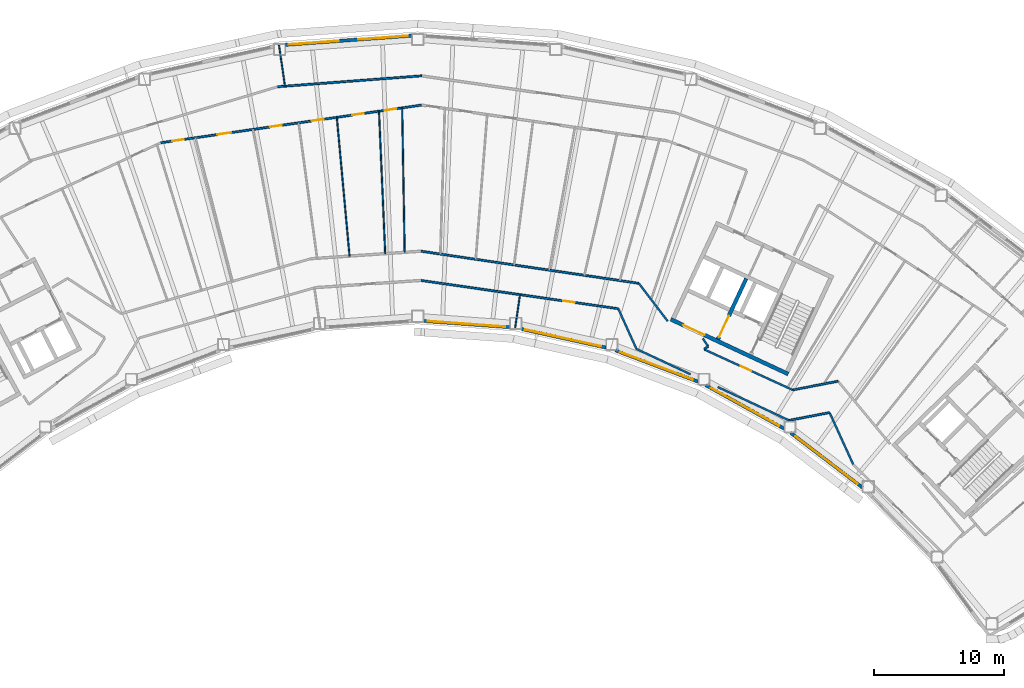
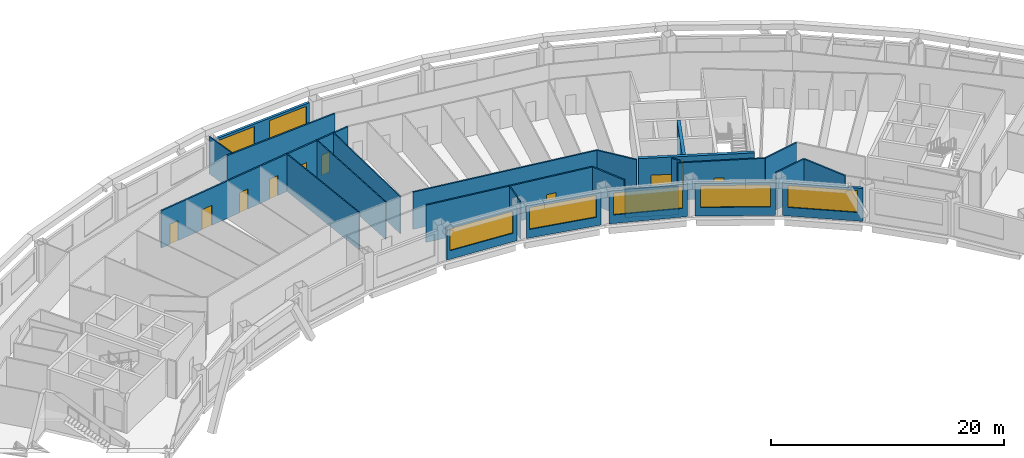
# One storey, part 8 of 17: 27 walls, 10 doors, 7 windows, 17 openings.
"""IFC4 building model written with IfcOpenShell, lengths in metres."""

import ifcopenshell
import ifcopenshell.guid

model = None  # the IFC model being written
_history = None  # IfcOwnerHistory: only IFC2X3 demands one
_inside = {}  # id of a spatial element -> (the spatial element, [elements in it])
_under = {}  # id of a project, library or spatial element -> (it, [spatial elements below it])
_declared = {}  # id of a project -> (the project, [libraries it declares])
_typed = {}  # id of a type object -> (the type object, [elements of that type])
_made_of = {}  # id of a material, layer set ... -> (it, [elements and type objects made of it])


def new_model(schema):
    """Start an empty IFC model of exactly this schema.

    Asked for "IFC4X3", IfcOpenShell would pick the latest addendum, in which some entities
    have other attributes; the version numbers below select the first issue.
    IFC2X3 requires an IfcOwnerHistory on every rooted entity: one is made here for all.
    """
    global model, _history
    if schema == "IFC4X3":
        model = ifcopenshell.file(schema_version=(4, 3, 0, 0))
    else:
        model = ifcopenshell.file(schema=schema)
    _inside.clear()
    _under.clear()
    _declared.clear()
    _typed.clear()
    _made_of.clear()
    _history = None
    if model.schema == "IFC2X3":
        org = make("IfcOrganization", Name="unknown")
        user = make(
            "IfcPersonAndOrganization",
            ThePerson=make("IfcPerson", FamilyName="unknown"),
            TheOrganization=org,
        )
        app = make(
            "IfcApplication",
            ApplicationDeveloper=org,
            Version="unknown",
            ApplicationFullName="unknown",
            ApplicationIdentifier="unknown",
        )
        _history = make(
            "IfcOwnerHistory",
            OwningUser=user,
            OwningApplication=app,
            ChangeAction="ADDED",
            CreationDate=0,
        )
    return model


def make(cls, **values):
    """One entity of the class cls with the attributes given. An attribute that is None is left unset."""
    return model.create_entity(
        cls, **{name: value for name, value in values.items() if value is not None}
    )


def rooted(cls, **values):
    """An entity with a GlobalId (a new one), such as an element, a storey or a relation."""
    return make(cls, GlobalId=ifcopenshell.guid.new(), OwnerHistory=_history, **values)


def si_unit(unit_type, name, prefix=None):
    """IfcSIUnit, for example si_unit("LENGTHUNIT", "METRE", prefix="MILLI")."""
    return make("IfcSIUnit", UnitType=unit_type, Prefix=prefix, Name=name)


def assignment(units):
    """IfcUnitAssignment: the units of a project."""
    return None if units is None else make("IfcUnitAssignment", Units=units)


def point(xyz):
    """IfcCartesianPoint."""
    return None if xyz is None else make("IfcCartesianPoint", Coordinates=xyz)


def direction(xyz):
    """IfcDirection."""
    return None if xyz is None else make("IfcDirection", DirectionRatios=xyz)


def frame(location, z_axis=None, x_axis=None):
    """IfcAxis2Placement3D, a coordinate frame: its origin and axes. An axis left out is left unset."""
    return make(
        "IfcAxis2Placement3D",
        Location=point(location),
        Axis=direction(z_axis),
        RefDirection=direction(x_axis),
    )


def frame_2d(location, x_axis=None):
    """IfcAxis2Placement2D, a coordinate frame in the plane: its origin and x axis."""
    return make(
        "IfcAxis2Placement2D", Location=point(location), RefDirection=direction(x_axis)
    )


def origin():
    """The frame at (0, 0, 0) with its axes left unset."""
    return frame((0.0, 0.0, 0.0))


def place(relative_to, where):
    """IfcLocalPlacement: puts the frame where relative to a parent placement (None: the world)."""
    return make(
        "IfcLocalPlacement", PlacementRelTo=relative_to, RelativePlacement=where
    )


def context(
    kind, dimensions, precision=None, world=None, true_north=None, identifier=None
):
    """IfcGeometricRepresentationContext, for example the 3D "Model" context."""
    return make(
        "IfcGeometricRepresentationContext",
        ContextIdentifier=identifier,
        ContextType=kind,
        CoordinateSpaceDimension=dimensions,
        Precision=precision,
        WorldCoordinateSystem=world,
        TrueNorth=true_north,
    )


def subcontext(parent, identifier, kind, view, scale=None):
    """IfcGeometricRepresentationSubContext, for example "Body" below "Model"."""
    return make(
        "IfcGeometricRepresentationSubContext",
        ContextIdentifier=identifier,
        ContextType=kind,
        ParentContext=parent,
        TargetScale=scale,
        TargetView=view,
    )


def project(units=None, contexts=None):
    """IfcProject with its units and contexts."""
    return rooted(
        "IfcProject",
        Name="project",
        RepresentationContexts=contexts,
        UnitsInContext=assignment(units),
    )


def spatial(cls, under=None, at=None, **own):
    """A site, building, storey or space (cls), placed at a placement, below another one or the project."""
    s = rooted(cls, ObjectPlacement=at, **own)
    if under is not None:
        _under.setdefault(under.id(), (under, []))[1].append(s)
    return s


def profile(cls, at=None, kind="AREA", **sizes):
    """A parametric profile (cls). Its sizes go by their IFC names, for example OverallWidth=200.0."""
    return make(cls, ProfileType=kind, Position=at, **sizes)


def rectangle(**sizes):
    """IfcRectangleProfileDef."""
    return profile("IfcRectangleProfileDef", **sizes)


def extrude(swept, where, along, depth):
    """IfcExtrudedAreaSolid: the profile swept, set in the frame where, extruded along a direction by depth."""
    return make(
        "IfcExtrudedAreaSolid",
        SweptArea=swept,
        Position=where,
        ExtrudedDirection=direction(along),
        Depth=depth,
    )


def shape(context_of_items, identifier, shape_type, items):
    """IfcShapeRepresentation: the items that make up one representation, for example the "Body"."""
    return make(
        "IfcShapeRepresentation",
        ContextOfItems=context_of_items,
        RepresentationIdentifier=identifier,
        RepresentationType=shape_type,
        Items=items,
    )


def material(Name=None, Category=None):
    """IfcMaterial."""
    return make("IfcMaterial", Name=Name, Category=Category)


def layer(
    of_material, thickness, ventilated=None, Name=None, Category=None, Priority=None
):
    """IfcMaterialLayer: one layer of a wall or slab, of a material (None: an air gap)."""
    return make(
        "IfcMaterialLayer",
        Material=of_material,
        LayerThickness=thickness,
        IsVentilated=ventilated,
        Name=Name,
        Category=Category,
        Priority=Priority,
    )


def layer_set(layers, Name=None):
    """IfcMaterialLayerSet."""
    return make("IfcMaterialLayerSet", MaterialLayers=layers, LayerSetName=Name)


def made_of(thing, what):
    """Note that an element or type object is made of a material, layer set ...; save() writes the relation."""
    if what is not None:
        _made_of.setdefault(what.id(), (what, []))[1].append(thing)
    return thing


def type_object(cls, material=None, **own):
    """A type object (cls), such as IfcWallType, which elements share."""
    return made_of(rooted(cls, **own), material)


def element(
    cls,
    number,
    at=None,
    inside=None,
    cuts=None,
    type_object=None,
    material=None,
    context=None,
    identifier="Body",
    shape_type=None,
    held_by="IfcProductDefinitionShape",
    body=None,
    shapes=None,
    **own,
):
    """One element of the class cls, such as IfcWall. Its Tag is "e" and its number.

    at: its placement. inside: the storey or other place that contains it. cuts: it is an
    opening in that element (IfcRelVoidsElement). A single representation is given by context,
    identifier, shape_type and body (its items); several are given by shapes. held_by: the class
    of the entity that holds the representations. save() writes the other relations.
    """
    e = rooted(cls, Tag="e%d" % number, ObjectPlacement=at, **own)
    if body is not None:
        shapes = [shape(context, identifier, shape_type, body)]
    if shapes is not None:
        e.Representation = make(held_by, Representations=shapes)
    if inside is not None:
        _inside.setdefault(inside.id(), (inside, []))[1].append(e)
    if cuts is not None:
        rooted(
            "IfcRelVoidsElement", RelatingBuildingElement=cuts, RelatedOpeningElement=e
        )
    if type_object is not None:
        _typed.setdefault(type_object.id(), (type_object, []))[1].append(e)
    return made_of(e, material)


def fill(opening, filler):
    """IfcRelFillsElement: the door or window that sits in an opening."""
    return rooted(
        "IfcRelFillsElement",
        RelatingOpeningElement=opening,
        RelatedBuildingElement=filler,
    )


def aggregate(whole, parts):
    """IfcRelAggregates: a whole, such as a stair, and the parts it consists of."""
    return rooted("IfcRelAggregates", RelatingObject=whole, RelatedObjects=parts)


def save(model, path):
    """Write the relations noted so far, then the file.

    IfcRelAggregates (storeys below a building ...), IfcRelContainedInSpatialStructure (elements
    in a storey), IfcRelDefinesByType, IfcRelAssociatesMaterial and IfcRelDeclares: one each for
    every whole, place, type object, material and project.
    """
    for whole, parts in _under.values():
        aggregate(whole, parts)
    for where, things in _inside.values():
        rooted(
            "IfcRelContainedInSpatialStructure",
            RelatedElements=things,
            RelatingStructure=where,
        )
    for kind, things in _typed.values():
        rooted("IfcRelDefinesByType", RelatedObjects=things, RelatingType=kind)
    for what, things in _made_of.values():
        rooted("IfcRelAssociatesMaterial", RelatedObjects=things, RelatingMaterial=what)
    for by, libraries in _declared.values():
        rooted("IfcRelDeclares", RelatingContext=by, RelatedDefinitions=libraries)
    model.write(path)


model = new_model("IFC4")

# Units and contexts
model_context = context("Model", 3, precision=1e-05, world=origin(), true_north=direction((0.0, 1.0)))
body_context = subcontext(model_context, "Body", "Model", "MODEL_VIEW")
ifc_project = project(units=[si_unit("LENGTHUNIT", "METRE"), si_unit("AREAUNIT", "SQUARE_METRE"), si_unit("VOLUMEUNIT", "CUBIC_METRE"), si_unit("PLANEANGLEUNIT", "RADIAN"), si_unit("MASSUNIT", "GRAM", prefix="KILO")], contexts=[model_context])

# Site, building, storey
site_placement = place(None, origin())
site = spatial("IfcSite", under=ifc_project, at=site_placement, CompositionType="ELEMENT")
building_placement = place(site_placement, origin())
building = spatial("IfcBuilding", under=site, at=building_placement, Name="Tuul Gate Civic Tower", CompositionType="ELEMENT")
storey_placement = place(building_placement, frame((0.0, 0.0, 222.10009765625)))
storey = spatial("IfcBuildingStorey", under=building, at=storey_placement, Name="Level 50", CompositionType="ELEMENT", Elevation=222.10009765625)

# Wall, opening, door
ifc_material_1 = material(Name="Concrete C50/60", Category="concrete")
ifc_layer_1 = layer(ifc_material_1, 0.300048828125)
ifc_layer_set_1 = layer_set([ifc_layer_1], Name="Concrete C50/60")
wall_type_1 = type_object("IfcWallType", Name="Core wall C50/60", PredefinedType="SHEAR", material=ifc_layer_set_1)
wall_1_placement = place(storey_placement, frame((34.5283203125, -7.25, 0.0), z_axis=(0.0, 0.0, 1.0), x_axis=(-0.906310338845, 0.422612789327, 0.0)))
wall_1 = element("IfcWall", 1, at=wall_1_placement, inside=storey, type_object=wall_type_1, Name="Core wall", PredefinedType="SHEAR", context=body_context, shape_type="SweptSolid", body=[
    extrude(rectangle(XDim=9.999755859375, YDim=0.300048828125, at=frame_2d((5.0, 0.0))), origin(), (0.0, 0.0, 1.0), 3.89990234375),
])
opening_1_placement = place(wall_1_placement, frame((7.125, 0.0, 0.0)))
opening_1 = element("IfcOpeningElement", 2, at=opening_1_placement, cuts=wall_1, Name="Opening LB-E3-LOBBY-1", PredefinedType="OPENING", context=body_context, shape_type="SweptSolid", body=[
    extrude(rectangle(XDim=1.800048828125, YDim=2.10009765625, at=frame_2d((0.89990234375, 1.050048828125))), frame((0.0, 0.16015625, 0.0), z_axis=(0.0, -1.0, 0.0), x_axis=(1.0, 0.0, 0.0)), (0.0, 0.0, 1.0), 0.320068359375),
])
ifc_material_2 = material(Name="Steel", Category="steel")
door_type_1 = type_object("IfcDoorType", Name="Lobby door", OperationType="DOUBLE_DOOR_SINGLE_SWING", PredefinedType="DOOR", material=ifc_material_2)
door_1_placement = place(opening_1_placement, frame((1.800048828125, 0.0, 0.0), z_axis=(0.0, 0.0, 1.0), x_axis=(-1.0, 0.0, 0.0)))
door_1 = element("IfcDoor", 3, at=door_1_placement, inside=storey, type_object=door_type_1, Name="Lobby door E3-LOBBY", OperationType="DOUBLE_DOOR_SINGLE_SWING", OverallHeight=2.10009765625, OverallWidth=1.800048828125, PredefinedType="DOOR", context=body_context, shape_type="SweptSolid", body=[
    extrude(rectangle(XDim=1.800048828125, YDim=2.10009765625, at=frame_2d((0.900146484375, 1.050048828125))), frame((0.0, 0.02490234375, 0.0), z_axis=(0.0, -1.0, 0.0), x_axis=(1.0, 0.0, 0.0)), (0.0, 0.0, 1.0), 0.050048828125),
])
fill(opening_1, door_1)

wall_2_placement = place(storey_placement, frame((29.108642578125, -4.557373046875, 0.0), z_axis=(0.0, 0.0, 1.0), x_axis=(0.422566235356, 0.90633204552, 0.0)))
wall_2 = element("IfcWall", 4, at=wall_2_placement, inside=storey, type_object=wall_type_1, Name="Core wall", PredefinedType="SHEAR", context=body_context, shape_type="SweptSolid", body=[
    extrude(rectangle(XDim=5.150146484375, YDim=0.300048828125, at=frame_2d((2.5751953125, 0.0))), origin(), (0.0, 0.0, 1.0), 3.89990234375),
])
opening_2_placement = place(wall_2_placement, frame((0.175048828125, 0.0, 0.0)))
opening_2 = element("IfcOpeningElement", 5, at=opening_2_placement, cuts=wall_2, Name="Opening LB-E3-FLOBBY-1", PredefinedType="OPENING", context=body_context, shape_type="SweptSolid", body=[
    extrude(rectangle(XDim=1.800048828125, YDim=2.10009765625, at=frame_2d((0.89990234375, 1.050048828125))), frame((0.0, 0.16015625, 0.0), z_axis=(0.0, -1.0, 0.0), x_axis=(1.0, 0.0, 0.0)), (0.0, 0.0, 1.0), 0.320068359375),
])
door_2_placement = place(opening_2_placement, frame((1.800048828125, 0.0, 0.0), z_axis=(0.0, 0.0, 1.0), x_axis=(-1.0, 0.0, 0.0)))
door_2 = element("IfcDoor", 6, at=door_2_placement, inside=storey, type_object=door_type_1, Name="Lobby door E3-FLOBBY", OperationType="DOUBLE_DOOR_SINGLE_SWING", OverallHeight=2.10009765625, OverallWidth=1.800048828125, PredefinedType="DOOR", context=body_context, shape_type="SweptSolid", body=[
    extrude(rectangle(XDim=1.800048828125, YDim=2.10009765625, at=frame_2d((0.900146484375, 1.050048828125))), frame((0.0, 0.02490234375, 0.0), z_axis=(0.0, -1.0, 0.0), x_axis=(1.0, 0.0, 0.0)), (0.0, 0.0, 1.0), 0.050048828125),
])
fill(opening_2, door_2)

# Walls
ifc_material_3 = material(Name="Gypsum board partition")
ifc_layer_2 = layer(ifc_material_3, 0.14990234375)
ifc_layer_set_2 = layer_set([ifc_layer_2], Name="Gypsum board partition")
wall_type_2 = type_object("IfcWallType", Name="Corridor wall P150", PredefinedType="PARTITIONING", material=ifc_layer_set_2)
wall_3_placement = place(storey_placement, frame((-4.85888671875, 14.919677734375, 0.0), z_axis=(0.0, 0.0, 1.0), x_axis=(0.997140910872, 0.075564567521, 0.0)))
element("IfcWall", 7, at=wall_3_placement, inside=storey, type_object=wall_type_2, Name="p011", PredefinedType="PARTITIONING", context=body_context, shape_type="SweptSolid", body=[
    extrude(rectangle(XDim=11.133544921875, YDim=0.14990234375, at=frame_2d((5.56689453125, 0.0))), origin(), (0.0, 0.0, 1.0), 3.89990234375),
])
wall_4_placement = place(storey_placement, frame((34.597900390625, -10.8232421875, 0.0), z_axis=(0.0, 0.0, 1.0), x_axis=(0.981761729648, 0.190115507518, 0.0)))
element("IfcWall", 8, at=wall_4_placement, inside=storey, type_object=wall_type_2, Name="p029", PredefinedType="PARTITIONING", context=body_context, shape_type="SweptSolid", body=[
    extrude(rectangle(XDim=3.162841796875, YDim=0.14990234375, at=frame_2d((1.58154296875, 0.0))), origin(), (0.0, 0.0, 1.0), 3.89990234375),
])
wall_5_placement = place(storey_placement, frame((37.725830078125, -10.233642578125, 0.0), z_axis=(0.0, 0.0, 1.0), x_axis=(0.414462049887, -0.910066596027, 0.0)))
element("IfcWall", 9, at=wall_5_placement, inside=storey, type_object=wall_type_2, Name="p030", PredefinedType="PARTITIONING", context=body_context, shape_type="SweptSolid", body=[
    extrude(rectangle(XDim=4.380859375, YDim=0.14990234375, at=frame_2d((2.1904296875, 0.0))), origin(), (0.0, 0.0, 1.0), 3.89990234375),
])

# Wall, opening, door
wall_6_placement = place(storey_placement, frame((6.18603515625, -0.026123046875, 0.0), z_axis=(0.0, 0.0, 1.0), x_axis=(0.989879513226, -0.141910356546, 0.0)))
wall_6 = element("IfcWall", 10, at=wall_6_placement, inside=storey, type_object=wall_type_2, Name="p034", PredefinedType="PARTITIONING", context=body_context, shape_type="SweptSolid", body=[
    extrude(rectangle(XDim=15.376708984375, YDim=0.14990234375, at=frame_2d((7.6884765625, 0.0))), origin(), (0.0, 0.0, 1.0), 3.89990234375),
])
opening_3_placement = place(wall_6_placement, frame((11.101806640625, 0.0, 0.0)))
opening_3 = element("IfcOpeningElement", 11, at=opening_3_placement, cuts=wall_6, Name="Opening R-D08", PredefinedType="OPENING", context=body_context, shape_type="SweptSolid", body=[
    extrude(rectangle(XDim=0.89990234375, YDim=2.10009765625, at=frame_2d((0.449951171875, 1.050048828125))), frame((0.0, 0.0849609375, 0.0), z_axis=(0.0, -1.0, 0.0), x_axis=(1.0, 0.0, 0.0)), (0.0, 0.0, 1.0), 0.169921875),
])
ifc_material_4 = material(Name="Timber door leaf", Category="wood")
door_type_2 = type_object("IfcDoorType", Name="Door D09", OperationType="NOTDEFINED", PredefinedType="DOOR", material=ifc_material_4)
door_3_placement = place(opening_3_placement, frame((0.89990234375, 0.0, 0.0), z_axis=(0.0, 0.0, 1.0), x_axis=(-1.0, 0.0, 0.0)))
door_3 = element("IfcDoor", 12, at=door_3_placement, inside=storey, type_object=door_type_2, Name="Door R-D08", OperationType="SINGLE_SWING_LEFT", OverallHeight=2.10009765625, OverallWidth=0.89990234375, PredefinedType="DOOR", context=body_context, shape_type="SweptSolid", body=[
    extrude(rectangle(XDim=0.89990234375, YDim=2.10009765625, at=frame_2d((0.449951171875, 1.050048828125))), frame((0.0, 0.02490234375, 0.0), z_axis=(0.0, -1.0, 0.0), x_axis=(1.0, 0.0, 0.0)), (0.0, 0.0, 1.0), 0.050048828125),
])
fill(opening_3, door_3)

# Walls
wall_7_placement = place(storey_placement, frame((21.42333984375, -2.220458984375, 0.0), z_axis=(0.0, 0.0, 1.0), x_axis=(0.411432485151, -0.911440239491, 0.0)))
element("IfcWall", 13, at=wall_7_placement, inside=storey, type_object=wall_type_2, Name="p035", PredefinedType="PARTITIONING", context=body_context, shape_type="SweptSolid", body=[
    extrude(rectangle(XDim=3.39306640625, YDim=0.14990234375, at=frame_2d((1.696533203125, 0.0))), origin(), (0.0, 0.0, 1.0), 3.89990234375),
])
wall_8_placement = place(storey_placement, frame((34.884521484375, -8.47607421875, 0.0), z_axis=(0.0, 0.0, 1.0), x_axis=(0.981755019351, 0.190150156398, 0.0)))
element("IfcWall", 14, at=wall_8_placement, inside=storey, type_object=wall_type_2, Name="p054", PredefinedType="PARTITIONING", context=body_context, shape_type="SweptSolid", body=[
    extrude(rectangle(XDim=3.55126953125, YDim=0.14990234375, at=frame_2d((1.775634765625, 0.0))), origin(), (0.0, 0.0, 1.0), 3.89990234375),
])

# Wall, opening, door
wall_9_placement = place(storey_placement, frame((28.0576171875, -5.3544921875, 0.0), z_axis=(0.0, 0.0, 1.0), x_axis=(0.909226191129, -0.41630245419, 0.0)))
wall_9 = element("IfcWall", 15, at=wall_9_placement, inside=storey, type_object=wall_type_2, Name="p056", PredefinedType="PARTITIONING", context=body_context, shape_type="SweptSolid", body=[
    extrude(rectangle(XDim=7.494140625, YDim=0.14990234375, at=frame_2d((3.7470703125, 0.0))), origin(), (0.0, 0.0, 1.0), 3.89990234375),
])
opening_4_placement = place(wall_9_placement, frame((3.0830078125, 0.0, 0.0)))
opening_4 = element("IfcOpeningElement", 16, at=opening_4_placement, cuts=wall_9, Name="Opening R-D16", PredefinedType="OPENING", context=body_context, shape_type="SweptSolid", body=[
    extrude(rectangle(XDim=0.89990234375, YDim=2.10009765625, at=frame_2d((0.449951171875, 1.050048828125))), frame((0.0, 0.0849609375, 0.0), z_axis=(0.0, -1.0, 0.0), x_axis=(1.0, 0.0, 0.0)), (0.0, 0.0, 1.0), 0.169921875),
])
door_4_placement = place(opening_4_placement, frame((0.89990234375, 0.0, 0.0), z_axis=(0.0, 0.0, 1.0), x_axis=(-1.0, 0.0, 0.0)))
door_4 = element("IfcDoor", 17, at=door_4_placement, inside=storey, type_object=door_type_2, Name="Door R-D16", OperationType="SINGLE_SWING_LEFT", OverallHeight=2.10009765625, OverallWidth=0.89990234375, PredefinedType="DOOR", context=body_context, shape_type="SweptSolid", body=[
    extrude(rectangle(XDim=0.89990234375, YDim=2.10009765625, at=frame_2d((0.449951171875, 1.050048828125))), frame((0.0, 0.02490234375, 0.0), z_axis=(0.0, -1.0, 0.0), x_axis=(1.0, 0.0, 0.0)), (0.0, 0.0, 1.0), 0.050048828125),
])
fill(opening_4, door_4)

# Walls
wall_10_placement = place(storey_placement, frame((28.054443359375, -5.3193359375, 0.0), z_axis=(0.0, 0.0, 1.0), x_axis=(0.823709335363, 0.567012284554, 0.0)))
element("IfcWall", 18, at=wall_10_placement, inside=storey, type_object=wall_type_2, Name="p057", PredefinedType="PARTITIONING", context=body_context, shape_type="SweptSolid", body=[
    extrude(rectangle(XDim=0.3642578125, YDim=0.14990234375, at=frame_2d((0.18212890625, 0.0))), origin(), (0.0, 0.0, 1.0), 3.89990234375),
])
wall_11_placement = place(storey_placement, frame((27.939697265625, -4.50927734375, 0.0), z_axis=(0.0, 0.0, 1.0), x_axis=(0.567265005599, -0.823535314011, 0.0)))
element("IfcWall", 19, at=wall_11_placement, inside=storey, type_object=wall_type_2, Name="p058", PredefinedType="PARTITIONING", context=body_context, shape_type="SweptSolid", body=[
    extrude(rectangle(XDim=0.731689453125, YDim=0.14990234375, at=frame_2d((0.36572265625, 0.0))), origin(), (0.0, 0.0, 1.0), 3.89990234375),
])
wall_12_placement = place(storey_placement, frame((23.0029296875, -0.25048828125, 0.0), z_axis=(0.0, 0.0, 1.0), x_axis=(0.606509713776, -0.795076076294, 0.0)))
element("IfcWall", 20, at=wall_12_placement, inside=storey, type_object=wall_type_2, Name="p063", PredefinedType="PARTITIONING", context=body_context, shape_type="SweptSolid", body=[
    extrude(rectangle(XDim=3.673095703125, YDim=0.14990234375, at=frame_2d((1.83642578125, 0.0))), origin(), (0.0, 0.0, 1.0), 3.89990234375),
])
wall_13_placement = place(storey_placement, frame((6.18896484375, 2.2294921875, 0.0), z_axis=(0.0, 0.0, 1.0), x_axis=(0.98930158276, -0.145884811921, 0.0)))
element("IfcWall", 21, at=wall_13_placement, inside=storey, type_object=wall_type_2, Name="p066", PredefinedType="PARTITIONING", context=body_context, shape_type="SweptSolid", body=[
    extrude(rectangle(XDim=16.99462890625, YDim=0.14990234375, at=frame_2d((8.497314453125, 0.0))), origin(), (0.0, 0.0, 1.0), 3.89990234375),
])

# Wall, openings, doors
wall_14_placement = place(storey_placement, frame((-13.8857421875, 10.595947265625, 0.0), z_axis=(0.0, 0.0, 1.0), x_axis=(0.989722071507, 0.143004269765, 0.0)))
wall_14 = element("IfcWall", 22, at=wall_14_placement, inside=storey, type_object=wall_type_2, Name="p073", PredefinedType="PARTITIONING", context=body_context, shape_type="SweptSolid", body=[
    extrude(rectangle(XDim=20.338134765625, YDim=0.14990234375, at=frame_2d((10.1689453125, 0.0))), origin(), (0.0, 0.0, 1.0), 3.89990234375),
])
opening_5_placement = place(wall_14_placement, frame((17.46826171875, 0.0, 0.0)))
opening_5 = element("IfcOpeningElement", 23, at=opening_5_placement, cuts=wall_14, Name="Opening R-D25", PredefinedType="OPENING", context=body_context, shape_type="SweptSolid", body=[
    extrude(rectangle(XDim=0.89990234375, YDim=2.10009765625, at=frame_2d((0.449951171875, 1.050048828125))), frame((0.0, 0.0849609375, 0.0), z_axis=(0.0, -1.0, 0.0), x_axis=(1.0, 0.0, 0.0)), (0.0, 0.0, 1.0), 0.169921875),
])
opening_6_placement = place(wall_14_placement, frame((14.921875, 0.0, 0.0)))
opening_6 = element("IfcOpeningElement", 24, at=opening_6_placement, cuts=wall_14, Name="Opening R-D26", PredefinedType="OPENING", context=body_context, shape_type="SweptSolid", body=[
    extrude(rectangle(XDim=0.89990234375, YDim=2.10009765625, at=frame_2d((0.449951171875, 1.050048828125))), frame((0.0, 0.0849609375, 0.0), z_axis=(0.0, -1.0, 0.0), x_axis=(1.0, 0.0, 0.0)), (0.0, 0.0, 1.0), 0.169921875),
])
opening_7_placement = place(wall_14_placement, frame((11.791015625, 0.0, 0.0)))
opening_7 = element("IfcOpeningElement", 25, at=opening_7_placement, cuts=wall_14, Name="Opening R-D27", PredefinedType="OPENING", context=body_context, shape_type="SweptSolid", body=[
    extrude(rectangle(XDim=0.89990234375, YDim=2.10009765625, at=frame_2d((0.449951171875, 1.050048828125))), frame((0.0, 0.0849609375, 0.0), z_axis=(0.0, -1.0, 0.0), x_axis=(1.0, 0.0, 0.0)), (0.0, 0.0, 1.0), 0.169921875),
])
opening_8_placement = place(wall_14_placement, frame((8.5205078125, 0.0, 0.0)))
opening_8 = element("IfcOpeningElement", 26, at=opening_8_placement, cuts=wall_14, Name="Opening R-D28", PredefinedType="OPENING", context=body_context, shape_type="SweptSolid", body=[
    extrude(rectangle(XDim=0.89990234375, YDim=2.10009765625, at=frame_2d((0.449951171875, 1.050048828125))), frame((0.0, 0.0849609375, 0.0), z_axis=(0.0, -1.0, 0.0), x_axis=(1.0, 0.0, 0.0)), (0.0, 0.0, 1.0), 0.169921875),
])
opening_9_placement = place(wall_14_placement, frame((4.39501953125, 0.0, 0.0)))
opening_9 = element("IfcOpeningElement", 27, at=opening_9_placement, cuts=wall_14, Name="Opening R-D29", PredefinedType="OPENING", context=body_context, shape_type="SweptSolid", body=[
    extrude(rectangle(XDim=1.10009765625, YDim=2.10009765625, at=frame_2d((0.550048828125, 1.050048828125))), frame((0.0, 0.0849609375, 0.0), z_axis=(0.0, -1.0, 0.0), x_axis=(1.0, 0.0, 0.0)), (0.0, 0.0, 1.0), 0.169921875),
])
opening_10_placement = place(wall_14_placement, frame((0.9013671875, 0.0, 0.0)))
opening_10 = element("IfcOpeningElement", 28, at=opening_10_placement, cuts=wall_14, Name="Opening R-D30", PredefinedType="OPENING", context=body_context, shape_type="SweptSolid", body=[
    extrude(rectangle(XDim=0.89990234375, YDim=2.10009765625, at=frame_2d((0.449951171875, 1.050048828125))), frame((0.0, 0.0849609375, 0.0), z_axis=(0.0, -1.0, 0.0), x_axis=(1.0, 0.0, 0.0)), (0.0, 0.0, 1.0), 0.169921875),
])
door_5_placement = place(opening_5_placement, frame((0.89990234375, 0.0, 0.0), z_axis=(0.0, 0.0, 1.0), x_axis=(-1.0, 0.0, 0.0)))
door_5 = element("IfcDoor", 29, at=door_5_placement, inside=storey, type_object=door_type_2, Name="Door R-D25", OperationType="SINGLE_SWING_LEFT", OverallHeight=2.10009765625, OverallWidth=0.89990234375, PredefinedType="DOOR", context=body_context, shape_type="SweptSolid", body=[
    extrude(rectangle(XDim=0.89990234375, YDim=2.10009765625, at=frame_2d((0.449951171875, 1.050048828125))), frame((0.0, 0.02490234375, 0.0), z_axis=(0.0, -1.0, 0.0), x_axis=(1.0, 0.0, 0.0)), (0.0, 0.0, 1.0), 0.050048828125),
])
fill(opening_5, door_5)
door_6_placement = place(opening_6_placement, frame((0.89990234375, 0.0, 0.0), z_axis=(0.0, 0.0, 1.0), x_axis=(-1.0, 0.0, 0.0)))
door_6 = element("IfcDoor", 30, at=door_6_placement, inside=storey, type_object=door_type_2, Name="Door R-D26", OperationType="SINGLE_SWING_LEFT", OverallHeight=2.10009765625, OverallWidth=0.89990234375, PredefinedType="DOOR", context=body_context, shape_type="SweptSolid", body=[
    extrude(rectangle(XDim=0.89990234375, YDim=2.10009765625, at=frame_2d((0.449951171875, 1.050048828125))), frame((0.0, 0.02490234375, 0.0), z_axis=(0.0, -1.0, 0.0), x_axis=(1.0, 0.0, 0.0)), (0.0, 0.0, 1.0), 0.050048828125),
])
fill(opening_6, door_6)
door_7_placement = place(opening_7_placement, frame((0.89990234375, 0.0, 0.0), z_axis=(0.0, 0.0, 1.0), x_axis=(-1.0, 0.0, 0.0)))
door_7 = element("IfcDoor", 31, at=door_7_placement, inside=storey, type_object=door_type_2, Name="Door R-D27", OperationType="SINGLE_SWING_LEFT", OverallHeight=2.10009765625, OverallWidth=0.89990234375, PredefinedType="DOOR", context=body_context, shape_type="SweptSolid", body=[
    extrude(rectangle(XDim=0.89990234375, YDim=2.10009765625, at=frame_2d((0.449951171875, 1.050048828125))), frame((0.0, 0.02490234375, 0.0), z_axis=(0.0, -1.0, 0.0), x_axis=(1.0, 0.0, 0.0)), (0.0, 0.0, 1.0), 0.050048828125),
])
fill(opening_7, door_7)
door_8_placement = place(opening_8_placement, frame((0.89990234375, 0.0, 0.0), z_axis=(0.0, 0.0, 1.0), x_axis=(-1.0, 0.0, 0.0)))
door_8 = element("IfcDoor", 32, at=door_8_placement, inside=storey, type_object=door_type_2, Name="Door R-D28", OperationType="SINGLE_SWING_LEFT", OverallHeight=2.10009765625, OverallWidth=0.89990234375, PredefinedType="DOOR", context=body_context, shape_type="SweptSolid", body=[
    extrude(rectangle(XDim=0.89990234375, YDim=2.10009765625, at=frame_2d((0.449951171875, 1.050048828125))), frame((0.0, 0.02490234375, 0.0), z_axis=(0.0, -1.0, 0.0), x_axis=(1.0, 0.0, 0.0)), (0.0, 0.0, 1.0), 0.050048828125),
])
fill(opening_8, door_8)
door_9_placement = place(opening_10_placement, frame((0.89990234375, 0.0, 0.0), z_axis=(0.0, 0.0, 1.0), x_axis=(-1.0, 0.0, 0.0)))
door_9 = element("IfcDoor", 33, at=door_9_placement, inside=storey, type_object=door_type_2, Name="Door R-D30", OperationType="SINGLE_SWING_LEFT", OverallHeight=2.10009765625, OverallWidth=0.89990234375, PredefinedType="DOOR", context=body_context, shape_type="SweptSolid", body=[
    extrude(rectangle(XDim=0.89990234375, YDim=2.10009765625, at=frame_2d((0.449951171875, 1.050048828125))), frame((0.0, 0.02490234375, 0.0), z_axis=(0.0, -1.0, 0.0), x_axis=(1.0, 0.0, 0.0)), (0.0, 0.0, 1.0), 0.050048828125),
])
fill(opening_10, door_9)
ifc_material_5 = material(Name="Timber door leaf", Category="wood")
door_type_3 = type_object("IfcDoorType", Name="Door D11", OperationType="NOTDEFINED", PredefinedType="DOOR", material=ifc_material_5)
door_10_placement = place(opening_9_placement, frame((1.10009765625, 0.0, 0.0), z_axis=(0.0, 0.0, 1.0), x_axis=(-1.0, 0.0, 0.0)))
door_10 = element("IfcDoor", 34, at=door_10_placement, inside=storey, type_object=door_type_3, Name="Door R-D29", OperationType="SINGLE_SWING_LEFT", OverallHeight=2.10009765625, OverallWidth=1.10009765625, PredefinedType="DOOR", context=body_context, shape_type="SweptSolid", body=[
    extrude(rectangle(XDim=1.10009765625, YDim=2.10009765625, at=frame_2d((0.550048828125, 1.050048828125))), frame((0.0, 0.02490234375, 0.0), z_axis=(0.0, -1.0, 0.0), x_axis=(1.0, 0.0, 0.0)), (0.0, 0.0, 1.0), 0.050048828125),
])
fill(opening_9, door_10)

# Walls
ifc_material_6 = material(Name="Gypsum board partition")
ifc_layer_3 = layer(ifc_material_6, 0.14990234375)
ifc_layer_set_3 = layer_set([ifc_layer_3], Name="Gypsum board partition")
wall_type_3 = type_object("IfcWallType", Name="Corridor wall P150 3000 HIGH", PredefinedType="PARTITIONING", material=ifc_layer_set_3)
wall_15_placement = place(storey_placement, frame((22.8203125, -5.31396484375, 0.0), z_axis=(0.0, 0.0, 1.0), x_axis=(0.905781382959, -0.423745308274, 0.0)))
element("IfcWall", 35, at=wall_15_placement, inside=storey, type_object=wall_type_3, Name="p027", PredefinedType="PARTITIONING", context=body_context, shape_type="SweptSolid", body=[
    extrude(rectangle(XDim=4.615478515625, YDim=0.14990234375, at=frame_2d((2.3076171875, 0.0))), origin(), (0.0, 0.0, 1.0), 3.0),
])
wall_16_placement = place(storey_placement, frame((29.090576171875, -8.247314453125, 0.0), z_axis=(0.0, 0.0, 1.0), x_axis=(0.905771253241, -0.423766960489, 0.0)))
element("IfcWall", 36, at=wall_16_placement, inside=storey, type_object=wall_type_3, Name="p028", PredefinedType="PARTITIONING", context=body_context, shape_type="SweptSolid", body=[
    extrude(rectangle(XDim=6.07861328125, YDim=0.14990234375, at=frame_2d((3.039306640625, 0.0))), origin(), (0.0, 0.0, 1.0), 3.0),
])

# Wall, openings, windows
ifc_material_7 = material(Name="Precast concrete C40/50", Category="concrete")
ifc_layer_4 = layer(ifc_material_7, 0.25)
ifc_layer_set_4 = layer_set([ifc_layer_4], Name="Precast concrete C40/50")
wall_type_4 = type_object("IfcWallType", Name="External wall", PredefinedType="STANDARD", material=ifc_layer_set_4)
wall_17_placement = place(storey_placement, frame((5.489990234375, 18.859130859375, 0.0), z_axis=(0.0, 0.0, 1.0), x_axis=(-0.997381037504, -0.07232610889, 0.0)))
wall_17 = element("IfcWall", 37, at=wall_17_placement, inside=storey, type_object=wall_type_4, Name="External wall", PredefinedType="STANDARD", context=body_context, shape_type="SweptSolid", body=[
    extrude(rectangle(XDim=9.775634765625, YDim=0.25, at=frame_2d((4.8876953125, 0.0))), origin(), (0.0, 0.0, 1.0), 3.449951171875),
])
opening_11_placement = place(wall_17_placement, frame((0.300537109375, 0.0, 0.89990234375)))
opening_11 = element("IfcOpeningElement", 38, at=opening_11_placement, cuts=wall_17, Name="Opening W22", PredefinedType="OPENING", context=body_context, shape_type="SweptSolid", body=[
    extrude(rectangle(XDim=3.85009765625, YDim=2.300048828125, at=frame_2d((1.925048828125, 1.14990234375))), frame((0.0, 0.135009765625, 0.0), z_axis=(0.0, -1.0, 0.0), x_axis=(1.0, 0.0, 0.0)), (0.0, 0.0, 1.0), 0.27001953125),
])
opening_12_placement = place(wall_17_placement, frame((5.672119140625, 0.0, 0.89990234375)))
opening_12 = element("IfcOpeningElement", 39, at=opening_12_placement, cuts=wall_17, Name="Opening W22", PredefinedType="OPENING", context=body_context, shape_type="SweptSolid", body=[
    extrude(rectangle(XDim=3.85009765625, YDim=2.300048828125, at=frame_2d((1.925048828125, 1.14990234375))), frame((0.0, 0.135009765625, 0.0), z_axis=(0.0, -1.0, 0.0), x_axis=(1.0, 0.0, 0.0)), (0.0, 0.0, 1.0), 0.27001953125),
])
ifc_material_8 = material(Name="Glass", Category="glass")
window_type_1 = type_object("IfcWindowType", Name="Window W22 3850 x 2300", PartitioningType="SINGLE_PANEL", PredefinedType="WINDOW", material=ifc_material_8)
window_1_placement = place(opening_11_placement, origin())
window_1 = element("IfcWindow", 40, at=window_1_placement, inside=storey, type_object=window_type_1, Name="Window", OverallHeight=2.300048828125, OverallWidth=3.85009765625, PartitioningType="SINGLE_PANEL", PredefinedType="WINDOW", context=body_context, shape_type="SweptSolid", body=[
    extrude(rectangle(XDim=3.85009765625, YDim=2.300048828125, at=frame_2d((1.925048828125, 1.14990234375))), frame((0.0, 0.030029296875, 0.0), z_axis=(0.0, -1.0, 0.0), x_axis=(1.0, 0.0, 0.0)), (0.0, 0.0, 1.0), 0.06005859375),
])
fill(opening_11, window_1)
window_2_placement = place(opening_12_placement, origin())
window_2 = element("IfcWindow", 41, at=window_2_placement, inside=storey, type_object=window_type_1, Name="Window", OverallHeight=2.300048828125, OverallWidth=3.85009765625, PartitioningType="SINGLE_PANEL", PredefinedType="WINDOW", context=body_context, shape_type="SweptSolid", body=[
    extrude(rectangle(XDim=3.85009765625, YDim=2.300048828125, at=frame_2d((1.925048828125, 1.14990234375))), frame((0.0, 0.030029296875, 0.0), z_axis=(0.0, -1.0, 0.0), x_axis=(1.0, 0.0, 0.0)), (0.0, 0.0, 1.0), 0.06005859375),
])
fill(opening_12, window_2)

# Wall, opening, window
wall_18_placement = place(storey_placement, frame((6.389892578125, -3.149169921875, 0.0), z_axis=(0.0, 0.0, 1.0), x_axis=(0.99739363413, -0.072152190518, 0.0)))
wall_18 = element("IfcWall", 42, at=wall_18_placement, inside=storey, type_object=wall_type_4, Name="External wall", PredefinedType="STANDARD", context=body_context, shape_type="SweptSolid", body=[
    extrude(rectangle(XDim=6.689453125, YDim=0.25, at=frame_2d((3.3447265625, 0.0))), origin(), (0.0, 0.0, 1.0), 3.449951171875),
])
opening_13_placement = place(wall_18_placement, frame((0.3212890625, 0.0, 0.89990234375)))
opening_13 = element("IfcOpeningElement", 43, at=opening_13_placement, cuts=wall_18, Name="Opening W26", PredefinedType="OPENING", context=body_context, shape_type="SweptSolid", body=[
    extrude(rectangle(XDim=6.0, YDim=2.300048828125, at=frame_2d((3.0, 1.14990234375))), frame((0.0, 0.135009765625, 0.0), z_axis=(0.0, -1.0, 0.0), x_axis=(1.0, 0.0, 0.0)), (0.0, 0.0, 1.0), 0.27001953125),
])
ifc_material_9 = material(Name="Glass", Category="glass")
window_type_2 = type_object("IfcWindowType", Name="Window W26 6000 x 2300", PartitioningType="SINGLE_PANEL", PredefinedType="WINDOW", material=ifc_material_9)
window_3_placement = place(opening_13_placement, origin())
window_3 = element("IfcWindow", 44, at=window_3_placement, inside=storey, type_object=window_type_2, Name="Window", OverallHeight=2.300048828125, OverallWidth=6.0, PartitioningType="SINGLE_PANEL", PredefinedType="WINDOW", context=body_context, shape_type="SweptSolid", body=[
    extrude(rectangle(XDim=6.0, YDim=2.300048828125, at=frame_2d((3.0, 1.14990234375))), frame((0.0, 0.030029296875, 0.0), z_axis=(0.0, -1.0, 0.0), x_axis=(1.0, 0.0, 0.0)), (0.0, 0.0, 1.0), 0.06005859375),
])
fill(opening_13, window_3)

wall_19_placement = place(storey_placement, frame((13.9619140625, -3.7705078125, 0.0), z_axis=(0.0, 0.0, 1.0), x_axis=(0.976561126712, -0.215240251333, 0.0)))
wall_19 = element("IfcWall", 45, at=wall_19_placement, inside=storey, type_object=wall_type_4, Name="External wall", PredefinedType="STANDARD", context=body_context, shape_type="SweptSolid", body=[
    extrude(rectangle(XDim=6.66943359375, YDim=0.25, at=frame_2d((3.334716796875, 0.0))), origin(), (0.0, 0.0, 1.0), 3.449951171875),
])
opening_14_placement = place(wall_19_placement, frame((0.263427734375, 0.0, 0.89990234375)))
opening_14 = element("IfcOpeningElement", 46, at=opening_14_placement, cuts=wall_19, Name="Opening W26", PredefinedType="OPENING", context=body_context, shape_type="SweptSolid", body=[
    extrude(rectangle(XDim=6.0, YDim=2.300048828125, at=frame_2d((3.0, 1.14990234375))), frame((0.0, 0.135009765625, 0.0), z_axis=(0.0, -1.0, 0.0), x_axis=(1.0, 0.0, 0.0)), (0.0, 0.0, 1.0), 0.27001953125),
])
window_4_placement = place(opening_14_placement, origin())
window_4 = element("IfcWindow", 47, at=window_4_placement, inside=storey, type_object=window_type_2, Name="Window", OverallHeight=2.300048828125, OverallWidth=6.0, PartitioningType="SINGLE_PANEL", PredefinedType="WINDOW", context=body_context, shape_type="SweptSolid", body=[
    extrude(rectangle(XDim=6.0, YDim=2.300048828125, at=frame_2d((3.0, 1.14990234375))), frame((0.0, 0.030029296875, 0.0), z_axis=(0.0, -1.0, 0.0), x_axis=(1.0, 0.0, 0.0)), (0.0, 0.0, 1.0), 0.06005859375),
])
fill(opening_14, window_4)

wall_20_placement = place(storey_placement, frame((21.197998046875, -5.423095703125, 0.0), z_axis=(0.0, 0.0, 1.0), x_axis=(0.935366308293, -0.353680462154, 0.0)))
wall_20 = element("IfcWall", 48, at=wall_20_placement, inside=storey, type_object=wall_type_4, Name="External wall", PredefinedType="STANDARD", context=body_context, shape_type="SweptSolid", body=[
    extrude(rectangle(XDim=6.818603515625, YDim=0.25, at=frame_2d((3.4091796875, 0.0))), origin(), (0.0, 0.0, 1.0), 3.449951171875),
])
opening_15_placement = place(wall_20_placement, frame((0.3818359375, 0.0, 0.89990234375)))
opening_15 = element("IfcOpeningElement", 49, at=opening_15_placement, cuts=wall_20, Name="Opening W26", PredefinedType="OPENING", context=body_context, shape_type="SweptSolid", body=[
    extrude(rectangle(XDim=6.0, YDim=2.300048828125, at=frame_2d((3.0, 1.14990234375))), frame((0.0, 0.135009765625, 0.0), z_axis=(0.0, -1.0, 0.0), x_axis=(1.0, 0.0, 0.0)), (0.0, 0.0, 1.0), 0.27001953125),
])
window_5_placement = place(opening_15_placement, origin())
window_5 = element("IfcWindow", 50, at=window_5_placement, inside=storey, type_object=window_type_2, Name="Window", OverallHeight=2.300048828125, OverallWidth=6.0, PartitioningType="SINGLE_PANEL", PredefinedType="WINDOW", context=body_context, shape_type="SweptSolid", body=[
    extrude(rectangle(XDim=6.0, YDim=2.300048828125, at=frame_2d((3.0, 1.14990234375))), frame((0.0, 0.030029296875, 0.0), z_axis=(0.0, -1.0, 0.0), x_axis=(1.0, 0.0, 0.0)), (0.0, 0.0, 1.0), 0.06005859375),
])
fill(opening_15, window_5)

wall_21_placement = place(storey_placement, frame((28.168701171875, -8.10791015625, 0.0), z_axis=(0.0, 0.0, 1.0), x_axis=(0.874623228644, -0.48480326723, 0.0)))
wall_21 = element("IfcWall", 51, at=wall_21_placement, inside=storey, type_object=wall_type_4, Name="External wall", PredefinedType="STANDARD", context=body_context, shape_type="SweptSolid", body=[
    extrude(rectangle(XDim=6.914306640625, YDim=0.25, at=frame_2d((3.45703125, 0.0))), origin(), (0.0, 0.0, 1.0), 3.449951171875),
])
opening_16_placement = place(wall_21_placement, frame((0.453369140625, 0.0, 0.89990234375)))
opening_16 = element("IfcOpeningElement", 52, at=opening_16_placement, cuts=wall_21, Name="Opening W26", PredefinedType="OPENING", context=body_context, shape_type="SweptSolid", body=[
    extrude(rectangle(XDim=6.0, YDim=2.300048828125, at=frame_2d((3.0, 1.14990234375))), frame((0.0, 0.135009765625, 0.0), z_axis=(0.0, -1.0, 0.0), x_axis=(1.0, 0.0, 0.0)), (0.0, 0.0, 1.0), 0.27001953125),
])
window_6_placement = place(opening_16_placement, origin())
window_6 = element("IfcWindow", 53, at=window_6_placement, inside=storey, type_object=window_type_2, Name="Window", OverallHeight=2.300048828125, OverallWidth=6.0, PartitioningType="SINGLE_PANEL", PredefinedType="WINDOW", context=body_context, shape_type="SweptSolid", body=[
    extrude(rectangle(XDim=6.0, YDim=2.300048828125, at=frame_2d((3.0, 1.14990234375))), frame((0.0, 0.030029296875, 0.0), z_axis=(0.0, -1.0, 0.0), x_axis=(1.0, 0.0, 0.0)), (0.0, 0.0, 1.0), 0.06005859375),
])
fill(opening_16, window_6)

wall_22_placement = place(storey_placement, frame((34.72216796875, -11.7890625, 0.0), z_axis=(0.0, 0.0, 1.0), x_axis=(0.795585585463, -0.605841213688, 0.0)))
wall_22 = element("IfcWall", 54, at=wall_22_placement, inside=storey, type_object=wall_type_4, Name="External wall", PredefinedType="STANDARD", context=body_context, shape_type="SweptSolid", body=[
    extrude(rectangle(XDim=6.955810546875, YDim=0.25, at=frame_2d((3.47802734375, 0.0))), origin(), (0.0, 0.0, 1.0), 3.449951171875),
])
opening_17_placement = place(wall_22_placement, frame((0.478759765625, 0.0, 0.89990234375)))
opening_17 = element("IfcOpeningElement", 55, at=opening_17_placement, cuts=wall_22, Name="Opening W26", PredefinedType="OPENING", context=body_context, shape_type="SweptSolid", body=[
    extrude(rectangle(XDim=6.0, YDim=2.300048828125, at=frame_2d((3.0, 1.14990234375))), frame((0.0, 0.135009765625, 0.0), z_axis=(0.0, -1.0, 0.0), x_axis=(1.0, 0.0, 0.0)), (0.0, 0.0, 1.0), 0.27001953125),
])
window_7_placement = place(opening_17_placement, origin())
window_7 = element("IfcWindow", 56, at=window_7_placement, inside=storey, type_object=window_type_2, Name="Window", OverallHeight=2.300048828125, OverallWidth=6.0, PartitioningType="SINGLE_PANEL", PredefinedType="WINDOW", context=body_context, shape_type="SweptSolid", body=[
    extrude(rectangle(XDim=6.0, YDim=2.300048828125, at=frame_2d((3.0, 1.14990234375))), frame((0.0, 0.030029296875, 0.0), z_axis=(0.0, -1.0, 0.0), x_axis=(1.0, 0.0, 0.0)), (0.0, 0.0, 1.0), 0.06005859375),
])
fill(opening_17, window_7)

# Walls
ifc_material_10 = material(Name="Gypsum board partition")
ifc_layer_5 = layer(ifc_material_10, 0.10009765625)
ifc_layer_set_5 = layer_set([ifc_layer_5], Name="Gypsum board partition")
wall_type_5 = type_object("IfcWallType", Name="Partition P100", PredefinedType="PARTITIONING", material=ifc_layer_set_5)
wall_23_placement = place(storey_placement, frame((-4.75732421875, 18.12109375, 0.0), z_axis=(0.0, 0.0, 1.0), x_axis=(0.144086910086, -0.989565036944, 0.0)))
element("IfcWall", 57, at=wall_23_placement, inside=storey, type_object=wall_type_5, Name="p006", PredefinedType="PARTITIONING", context=body_context, shape_type="SweptSolid", body=[
    extrude(rectangle(XDim=3.192138671875, YDim=0.10009765625, at=frame_2d((1.59619140625, 0.0))), origin(), (0.0, 0.0, 1.0), 3.89990234375),
])
wall_24_placement = place(storey_placement, frame((13.464111328125, -3.666015625, 0.0), z_axis=(0.0, 0.0, 1.0), x_axis=(0.144014267725, 0.989575611407, 0.0)))
element("IfcWall", 58, at=wall_24_placement, inside=storey, type_object=wall_type_5, Name="p033", PredefinedType="PARTITIONING", context=body_context, shape_type="SweptSolid", body=[
    extrude(rectangle(XDim=2.570068359375, YDim=0.10009765625, at=frame_2d((1.28515625, 0.0))), origin(), (0.0, 0.0, 1.0), 3.89990234375),
])
wall_25_placement = place(storey_placement, frame((4.741943359375, 13.28759765625, 0.0), z_axis=(0.0, 0.0, 1.0), x_axis=(0.017437043549, -0.999847963199, 0.0)))
element("IfcWall", 59, at=wall_25_placement, inside=storey, type_object=wall_type_5, Name="p072", PredefinedType="PARTITIONING", context=body_context, shape_type="SweptSolid", body=[
    extrude(rectangle(XDim=11.14501953125, YDim=0.10009765625, at=frame_2d((5.572509765625, 0.0))), origin(), (0.0, 0.0, 1.0), 3.89990234375),
])
wall_26_placement = place(storey_placement, frame((2.954833984375, 13.029296875, 0.0), z_axis=(0.0, 0.0, 1.0), x_axis=(0.04362122473, -0.999048141359, 0.0)))
element("IfcWall", 60, at=wall_26_placement, inside=storey, type_object=wall_type_5, Name="p075", PredefinedType="PARTITIONING", context=body_context, shape_type="SweptSolid", body=[
    extrude(rectangle(XDim=10.997802734375, YDim=0.10009765625, at=frame_2d((5.4990234375, 0.0))), origin(), (0.0, 0.0, 1.0), 3.89990234375),
])
wall_27_placement = place(storey_placement, frame((-0.298583984375, 12.55908203125, 0.0), z_axis=(0.0, 0.0, 1.0), x_axis=(0.091481767884, -0.995806751405, 0.0)))
element("IfcWall", 61, at=wall_27_placement, inside=storey, type_object=wall_type_5, Name="p076", PredefinedType="PARTITIONING", context=body_context, shape_type="SweptSolid", body=[
    extrude(rectangle(XDim=10.749755859375, YDim=0.10009765625, at=frame_2d((5.375, 0.0))), origin(), (0.0, 0.0, 1.0), 3.89990234375),
])

save(model, "model.ifc")
